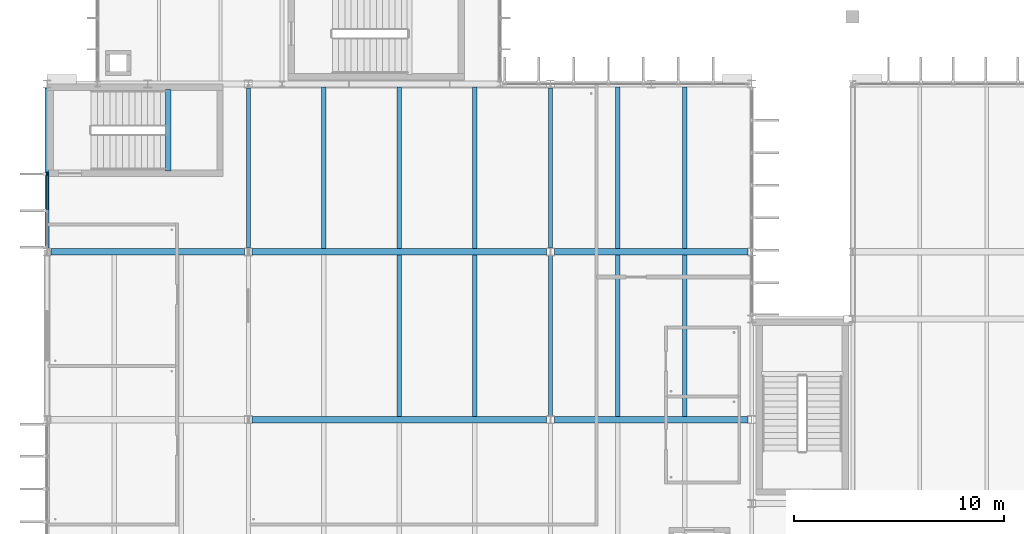
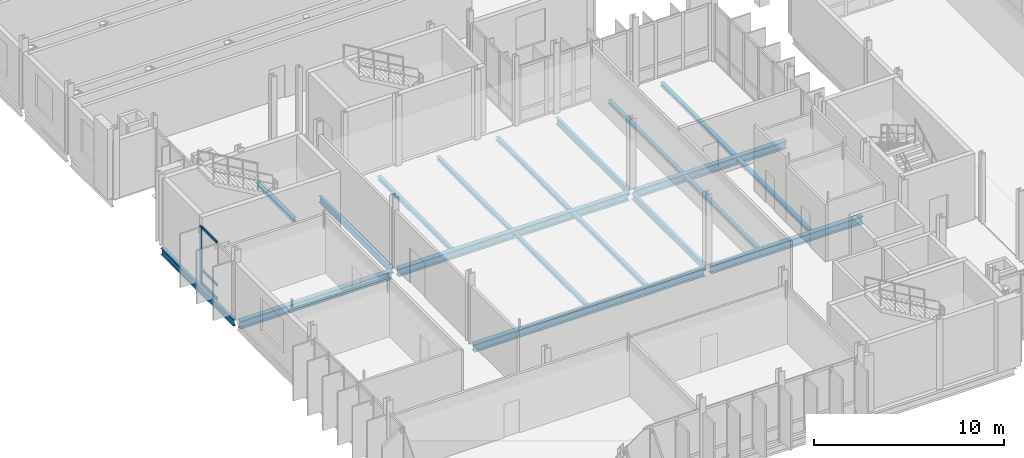
# One storey, part 20 of 110: 19 beams, 4 members, 1 element without a shape of its own.
"""IFC4 building model written with IfcOpenShell, lengths in metres."""

from ifc_helpers import new_model, si_unit, direction, frame, origin, origin_2d, place, context, subcontext, project, spatial, rectangle, i_section, extrude, material, material_profile, profile_set, type_object, element, aggregate, save


model = new_model("IFC4")

# Units and contexts
model_context = context("Model", 3, precision=1e-05, world=origin(), true_north=direction((0.0, 1.0)))
body_context = subcontext(model_context, "Body", "Model", "MODEL_VIEW")
ifc_project = project(units=[si_unit("LENGTHUNIT", "METRE"), si_unit("AREAUNIT", "SQUARE_METRE"), si_unit("VOLUMEUNIT", "CUBIC_METRE"), si_unit("PLANEANGLEUNIT", "RADIAN"), si_unit("MASSUNIT", "GRAM", prefix="KILO")], contexts=[model_context])

# Site, building, storey
site_placement = place(None, origin())
site = spatial("IfcSite", under=ifc_project, at=site_placement, CompositionType="ELEMENT")
building_placement = place(site_placement, origin())
building = spatial("IfcBuilding", under=site, at=building_placement, Name="Dunescarp Central Library", CompositionType="ELEMENT")
storey_placement = place(building_placement, frame((0.0, 0.0, 9.60009765625)))
storey = spatial("IfcBuildingStorey", under=building, at=storey_placement, Name="L02", CompositionType="ELEMENT", Elevation=9.60009765625)

# Curtain wall, members
ifc_material_1 = material(Name="Marine-grade anodised aluminium 6063-T6", Category="aluminium")
curtain_wall_type = type_object("IfcCurtainWallType", Name="ARC-CW-STICK", PredefinedType="NOTDEFINED", material=ifc_material_1)
curtain_wall_placement = place(storey_placement, origin())
curtain_wall = element("IfcCurtainWall", 1, at=curtain_wall_placement, inside=storey, type_object=curtain_wall_type, Name="L02 curtain wall CW-V1-016", PredefinedType="NOTDEFINED")
ifc_material_profile_1 = material_profile(ifc_material_1, rectangle(XDim=0.080078125, YDim=0.179931640625, at=origin_2d()), Name="AL 80x180")
ifc_profile_set_1 = profile_set([ifc_material_profile_1], Name="Marine-grade anodised aluminium 6063-T6")
member_type_1 = type_object("IfcMemberType", Name="ARC-CWM-180", PredefinedType="MULLION", material=ifc_profile_set_1)
member_1_placement = place(storey_placement, frame((0.0, 32.510009765625, 0.0), z_axis=(0.0, 0.0, 1.0), x_axis=(-1.0, 0.0, 0.0)))
member_1 = element("IfcMember", 2, at=member_1_placement, type_object=member_type_1, Name="CW-V1-016 mullion 3", PredefinedType="MULLION", context=body_context, shape_type="SweptSolid", body=[
    extrude(rectangle(XDim=0.080078125, YDim=0.179931640625, at=origin_2d()), origin(), (0.0, 0.0, 1.0), 3.684814453125),
])
ifc_material_profile_2 = material_profile(ifc_material_1, rectangle(XDim=0.080078125, YDim=0.14990234375, at=origin_2d()), Name="AL 80x150")
ifc_profile_set_2 = profile_set([ifc_material_profile_2], Name="Marine-grade anodised aluminium 6063-T6")
member_type_2 = type_object("IfcMemberType", Name="ARC-CWT-150", PredefinedType="USERDEFINED", material=ifc_profile_set_2)
member_2_placement = place(storey_placement, frame((0.0, 30.802490234375, 0.039794921875), z_axis=(0.0, 1.0, 0.0), x_axis=(-1.0, 0.0, 0.0)))
member_2 = element("IfcMember", 3, at=member_2_placement, type_object=member_type_2, Name="CW-V1-016 transom 2.1", ObjectType="TRANSOM", PredefinedType="USERDEFINED", context=body_context, shape_type="SweptSolid", body=[
    extrude(rectangle(XDim=0.080078125, YDim=0.14990234375, at=origin_2d()), origin(), (0.0, 0.0, 1.0), 1.66748046875),
])
member_3_placement = place(storey_placement, frame((0.0, 30.802490234375, 0.89990234375), z_axis=(0.0, 1.0, 0.0), x_axis=(-1.0, 0.0, 0.0)))
member_3 = element("IfcMember", 4, at=member_3_placement, type_object=member_type_2, Name="CW-V1-016 transom 2.2", ObjectType="TRANSOM", PredefinedType="USERDEFINED", context=body_context, shape_type="SweptSolid", body=[
    extrude(rectangle(XDim=0.080078125, YDim=0.14990234375, at=origin_2d()), origin(), (0.0, 0.0, 1.0), 1.66748046875),
])
member_4_placement = place(storey_placement, frame((0.0, 30.802490234375, 3.64501953125), z_axis=(0.0, 1.0, 0.0), x_axis=(-1.0, 0.0, 0.0)))
member_4 = element("IfcMember", 5, at=member_4_placement, type_object=member_type_2, Name="CW-V1-016 transom 2.3", ObjectType="TRANSOM", PredefinedType="USERDEFINED", context=body_context, shape_type="SweptSolid", body=[
    extrude(rectangle(XDim=0.080078125, YDim=0.14990234375, at=origin_2d()), origin(), (0.0, 0.0, 1.0), 1.66748046875),
])
aggregate(curtain_wall, [member_1, member_2, member_3, member_4])

# Beams
ifc_material_2 = material(Name="Steel S355JR", Category="steel")
ifc_material_profile_3 = material_profile(ifc_material_2, i_section(OverallWidth=0.300048828125, OverallDepth=0.5, WebThickness=0.014404296875, FlangeThickness=0.028076171875, at=origin_2d()), Name="HEB 500")
ifc_profile_set_3 = profile_set([ifc_material_profile_3], Name="Steel S355JR")
beam_type_1 = type_object("IfcBeamType", Name="STR-BM-HEB500", PredefinedType="BEAM", material=ifc_profile_set_3)
beam_1_placement = place(storey_placement, frame((0.18408203125, 28.800048828125, -0.460205078125), z_axis=(1.0, 0.0, 0.0), x_axis=(0.0, 1.0, 0.0)))
element("IfcBeam", 6, at=beam_1_placement, inside=storey, type_object=beam_type_1, Name="L02 girder BM-L02-0067", PredefinedType="BEAM", context=body_context, shape_type="SweptSolid", body=[
    extrude(i_section(OverallWidth=0.300048828125, OverallDepth=0.5, WebThickness=0.014404296875, FlangeThickness=0.028076171875, at=origin_2d()), origin(), (0.0, 0.0, 1.0), 9.23193359375),
])
for number, where, z_axis, x_axis, name in (
    (7, (9.783935546875, 20.800048828125, -0.460205078125), (1.0, 0.0, 0.0), (0.0, 1.0, 0.0), "L02 girder BM-L02-0081"),
    (8, (9.783935546875, 28.800048828125, -0.460205078125), (1.0, 0.0, 0.0), (0.0, 1.0, 0.0), "L02 girder BM-L02-0086"),
):
    element("IfcBeam", number, at=place(storey_placement, frame(where, z_axis=z_axis, x_axis=x_axis)), inside=storey, type_object=beam_type_1, Name=name, PredefinedType="BEAM", context=body_context, shape_type="SweptSolid", body=[
        extrude(i_section(OverallWidth=0.300048828125, OverallDepth=0.5, WebThickness=0.014404296875, FlangeThickness=0.028076171875, at=origin_2d()), origin(), (0.0, 0.0, 1.0), 14.031982421875),
    ])
for number, where, z_axis, x_axis, name in (
    (9, (24.18408203125, 20.800048828125, -0.460205078125), (1.0, 0.0, 0.0), (0.0, 1.0, 0.0), "L02 girder BM-L02-0099"),
    (10, (24.18408203125, 28.800048828125, -0.460205078125), (1.0, 0.0, 0.0), (0.0, 1.0, 0.0), "L02 girder BM-L02-0103"),
):
    element("IfcBeam", number, at=place(storey_placement, frame(where, z_axis=z_axis, x_axis=x_axis)), inside=storey, type_object=beam_type_1, Name=name, PredefinedType="BEAM", context=body_context, shape_type="SweptSolid", body=[
        extrude(i_section(OverallWidth=0.300048828125, OverallDepth=0.5, WebThickness=0.014404296875, FlangeThickness=0.028076171875, at=origin_2d()), origin(), (0.0, 0.0, 1.0), 9.23193359375),
    ])
ifc_material_profile_4 = material_profile(ifc_material_2, i_section(OverallWidth=0.179443359375, OverallDepth=0.412841796875, WebThickness=0.009521484375, FlangeThickness=0.01611328125, at=origin_2d()), Name="UB 406x178x74")
ifc_profile_set_4 = profile_set([ifc_material_profile_4], Name="Steel S355JR")
beam_type_2 = type_object("IfcBeamType", Name="STR-BM-UB406", PredefinedType="BEAM", material=ifc_profile_set_4)
for number, where, z_axis, x_axis, name in (
    (11, (0.0, 28.98388671875, -0.416015625), (0.0, 1.0, 0.0), (-1.0, 0.0, 0.0), "L02 girder BM-L02-0073"),
    (12, (9.60009765625, 28.98388671875, -0.416015625), (0.0, 1.0, 0.0), (-1.0, 0.0, 0.0), "L02 girder BM-L02-0074"),
):
    element("IfcBeam", number, at=place(storey_placement, frame(where, z_axis=z_axis, x_axis=x_axis)), inside=storey, type_object=beam_type_2, Name=name, PredefinedType="BEAM", context=body_context, shape_type="SweptSolid", body=[
        extrude(i_section(OverallWidth=0.179443359375, OverallDepth=0.412841796875, WebThickness=0.009521484375, FlangeThickness=0.01611328125, at=origin_2d()), origin(), (0.0, 0.0, 1.0), 7.635009765625),
    ])
beam_2_placement = place(storey_placement, frame((24.0, 20.98388671875, -0.416015625), z_axis=(0.0, 1.0, 0.0), x_axis=(-1.0, 0.0, 0.0)))
element("IfcBeam", 13, at=beam_2_placement, inside=storey, type_object=beam_type_2, Name="L02 girder BM-L02-0087", PredefinedType="BEAM", context=body_context, shape_type="SweptSolid", body=[
    extrude(i_section(OverallWidth=0.179443359375, OverallDepth=0.412841796875, WebThickness=0.009521484375, FlangeThickness=0.01611328125, at=origin_2d()), origin(), (0.0, 0.0, 1.0), 7.632080078125),
])
beam_3_placement = place(storey_placement, frame((24.0, 28.98388671875, -0.416015625), z_axis=(0.0, 1.0, 0.0), x_axis=(-1.0, 0.0, 0.0)))
element("IfcBeam", 14, at=beam_3_placement, inside=storey, type_object=beam_type_2, Name="L02 girder BM-L02-0092", PredefinedType="BEAM", context=body_context, shape_type="SweptSolid", body=[
    extrude(i_section(OverallWidth=0.179443359375, OverallDepth=0.412841796875, WebThickness=0.009521484375, FlangeThickness=0.01611328125, at=origin_2d()), origin(), (0.0, 0.0, 1.0), 7.635009765625),
])
ifc_material_profile_5 = material_profile(ifc_material_2, i_section(OverallWidth=0.239990234375, OverallDepth=0.22998046875, WebThickness=0.007568359375, FlangeThickness=0.011962890625, at=origin_2d()), Name="HEA 240")
ifc_profile_set_5 = profile_set([ifc_material_profile_5], Name="Steel S355JR")
beam_type_3 = type_object("IfcBeamType", Name="STR-JS-HEA240", PredefinedType="JOIST", material=ifc_profile_set_5)
beam_4_placement = place(storey_placement, frame((5.780029296875, 32.659912109375, 1.934814453125), z_axis=(0.0, 1.0, 0.0), x_axis=(-1.0, 0.0, 0.0)))
element("IfcBeam", 15, at=beam_4_placement, inside=storey, type_object=beam_type_3, Name="L02 ST-6 landing trimmer beam BM-ST-009", PredefinedType="BEAM", context=body_context, shape_type="SweptSolid", body=[
    extrude(i_section(OverallWidth=0.239990234375, OverallDepth=0.22998046875, WebThickness=0.007568359375, FlangeThickness=0.011962890625, at=origin_2d()), origin(), (0.0, 0.0, 1.0), 3.880126953125),
])
ifc_material_profile_6 = material_profile(ifc_material_2, i_section(OverallWidth=0.219970703125, OverallDepth=0.219970703125, WebThickness=0.009521484375, FlangeThickness=0.01611328125, at=origin_2d()), Name="HEB 220")
ifc_profile_set_6 = profile_set([ifc_material_profile_6], Name="Steel S355JR")
beam_type_4 = type_object("IfcBeamType", Name="STR-JS-HEB220", PredefinedType="JOIST", material=ifc_profile_set_6)
for number, where, z_axis, x_axis, name in (
    (16, (16.800048828125, 20.947998046875, -0.320068359375), (0.0, 1.0, 0.0), (-1.0, 0.0, 0.0), "L02 joist JS-L02-0089"),
    (17, (20.39990234375, 20.947998046875, -0.320068359375), (0.0, 1.0, 0.0), (-1.0, 0.0, 0.0), "L02 joist JS-L02-0090"),
    (18, (13.199951171875, 28.947998046875, -0.320068359375), (0.0, 1.0, 0.0), (-1.0, 0.0, 0.0), "L02 joist JS-L02-0093"),
    (19, (16.800048828125, 28.947998046875, -0.320068359375), (0.0, 1.0, 0.0), (-1.0, 0.0, 0.0), "L02 joist JS-L02-0094"),
    (20, (20.39990234375, 28.947998046875, -0.320068359375), (0.0, 1.0, 0.0), (-1.0, 0.0, 0.0), "L02 joist JS-L02-0095"),
    (21, (27.199951171875, 20.947998046875, -0.320068359375), (0.0, 1.0, 0.0), (-1.0, 0.0, 0.0), "L02 joist JS-L02-0105"),
    (22, (30.39990234375, 20.947998046875, -0.320068359375), (0.0, 1.0, 0.0), (-1.0, 0.0, 0.0), "L02 joist JS-L02-0106"),
    (23, (27.199951171875, 28.947998046875, -0.320068359375), (0.0, 1.0, 0.0), (-1.0, 0.0, 0.0), "L02 joist JS-L02-0109"),
    (24, (30.39990234375, 28.947998046875, -0.320068359375), (0.0, 1.0, 0.0), (-1.0, 0.0, 0.0), "L02 joist JS-L02-0110"),
):
    element("IfcBeam", number, at=place(storey_placement, frame(where, z_axis=z_axis, x_axis=x_axis)), inside=storey, type_object=beam_type_4, Name=name, PredefinedType="JOIST", context=body_context, shape_type="SweptSolid", body=[
        extrude(i_section(OverallWidth=0.219970703125, OverallDepth=0.219970703125, WebThickness=0.009521484375, FlangeThickness=0.01611328125, at=origin_2d()), origin(), (0.0, 0.0, 1.0), 7.7041015625),
    ])

save(model, "model.ifc")
